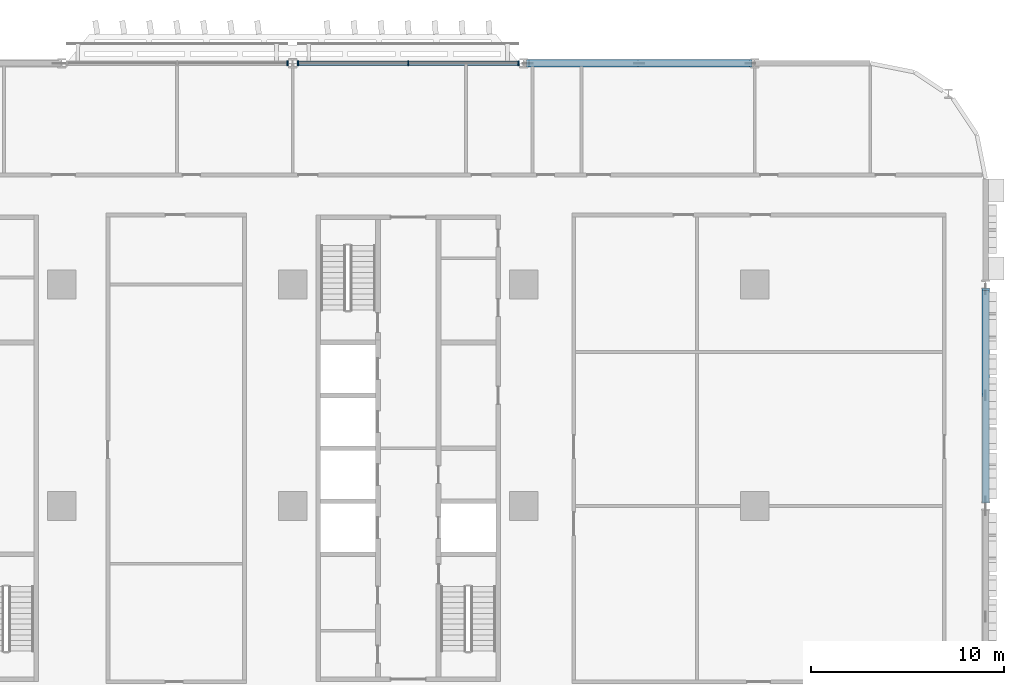
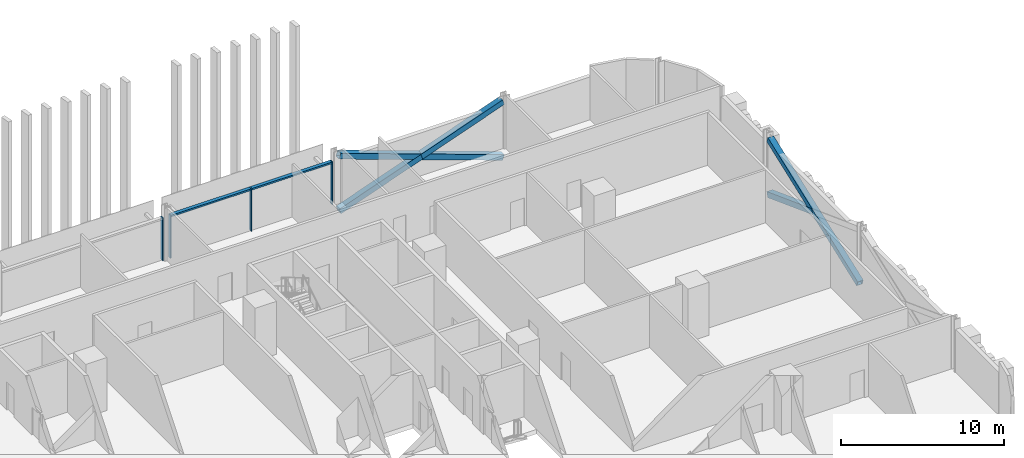
# One storey, part 7 of 29: 11 members, 2 elements without a shape of their own.
"""IFC4 building model written with IfcOpenShell, lengths in metres."""

from ifc_helpers import new_model, si_unit, direction, frame, origin, origin_2d, place, context, subcontext, project, spatial, rectangle, hollow_rectangle, extrude, material, material_profile, profile_set, type_object, element, aggregate, save


model = new_model("IFC4")

# Units and contexts
model_context = context("Model", 3, precision=1e-05, world=origin(), true_north=direction((0.0, 1.0)))
body_context = subcontext(model_context, "Body", "Model", "MODEL_VIEW")
ifc_project = project(units=[si_unit("LENGTHUNIT", "METRE"), si_unit("AREAUNIT", "SQUARE_METRE"), si_unit("VOLUMEUNIT", "CUBIC_METRE"), si_unit("PLANEANGLEUNIT", "RADIAN"), si_unit("MASSUNIT", "GRAM", prefix="KILO")], contexts=[model_context])

# Site, building, storey
site_placement = place(None, origin())
site = spatial("IfcSite", under=ifc_project, at=site_placement, CompositionType="ELEMENT")
building_placement = place(site_placement, origin())
building = spatial("IfcBuilding", under=site, at=building_placement, Name="Mahtab Terrace Research Tower", CompositionType="ELEMENT")
storey_placement = place(building_placement, frame((0.0, 0.0, 46.0)))
storey = spatial("IfcBuildingStorey", under=building, at=storey_placement, Name="L10", CompositionType="ELEMENT", Elevation=46.0)

# Members
ifc_material_1 = material(Name="Steel ASTM A500 Gr C", Category="steel")
ifc_material_profile_1 = material_profile(ifc_material_1, hollow_rectangle(XDim=0.406494140625, YDim=0.406494140625, WallThickness=0.01904296875, at=origin_2d()), Name="HSS16X16X3/4")
ifc_profile_set_1 = profile_set([ifc_material_profile_1], Name="Steel ASTM A500 Gr C")
member_type_1 = type_object("IfcMemberType", Name="HSS 16x16x3/4 brace XB161634", PredefinedType="BRACE", material=ifc_profile_set_1)
member_1_placement = place(storey_placement, frame((41.787841796875, 23.0, -0.642333984375), z_axis=(-0.941386519928, 0.0, 0.337329838731), x_axis=(0.0, -1.0, 0.0)))
element("IfcMember", 1, at=member_1_placement, inside=storey, type_object=member_type_1, Name="Exoskeleton brace L10 02 a", PredefinedType="BRACE", context=body_context, shape_type="SweptSolid", body=[
    extrude(hollow_rectangle(XDim=0.406494140625, YDim=0.406494140625, WallThickness=0.01904296875, at=origin_2d()), origin(), (0.0, 0.0, 1.0), 12.29638671875),
])
for number, where, z_axis, x_axis, name in (
    (2, (30.212158203125, 23.0, -0.642333984375), (0.941386519928, 0.0, 0.337329838731), (0.0, 1.0, 0.0), "Exoskeleton brace L10 02 b1"),
    (3, (36.0, 23.0, 1.431640625), (0.941386519928, 0.0, 0.337329838731), (0.0, 1.0, 0.0), "Exoskeleton brace L10 02 b2"),
):
    element("IfcMember", number, at=place(storey_placement, frame(where, z_axis=z_axis, x_axis=x_axis)), inside=storey, type_object=member_type_1, Name=name, PredefinedType="BRACE", context=body_context, shape_type="SweptSolid", body=[
        extrude(hollow_rectangle(XDim=0.406494140625, YDim=0.406494140625, WallThickness=0.01904296875, at=origin_2d()), origin(), (0.0, 0.0, 1.0), 6.148193359375),
    ])
member_2_placement = place(storey_placement, frame((54.0, 0.237548828125, -0.629638671875), z_axis=(0.0, 0.936664598222, 0.35022768371), x_axis=(-1.0, 0.0, 0.0)))
element("IfcMember", 4, at=member_2_placement, inside=storey, type_object=member_type_1, Name="Exoskeleton brace L10 23 a", PredefinedType="BRACE", context=body_context, shape_type="SweptSolid", body=[
    extrude(hollow_rectangle(XDim=0.406494140625, YDim=0.406494140625, WallThickness=0.01904296875, at=origin_2d()), origin(), (0.0, 0.0, 1.0), 11.770263671875),
])
member_3_placement = place(storey_placement, frame((54.0, 11.262451171875, -0.629638671875), z_axis=(0.0, -0.936657793787, 0.350245881259), x_axis=(1.0, 0.0, 0.0)))
element("IfcMember", 5, at=member_3_placement, inside=storey, type_object=member_type_1, Name="Exoskeleton brace L10 23 b1", PredefinedType="BRACE", context=body_context, shape_type="SweptSolid", body=[
    extrude(hollow_rectangle(XDim=0.406494140625, YDim=0.406494140625, WallThickness=0.01904296875, at=origin_2d()), origin(), (0.0, 0.0, 1.0), 5.88525390625),
])

# Curtain wall, members
ifc_material_2 = material(Name="Sky lounge full-height curtain wall")
curtain_wall_type = type_object("IfcCurtainWallType", Name="Sky lounge full-height curtain wall", PredefinedType="NOTDEFINED", material=ifc_material_2)
curtain_wall_1_placement = place(storey_placement, origin())
curtain_wall_1 = element("IfcCurtainWall", 6, at=curtain_wall_1_placement, inside=storey, type_object=curtain_wall_type, Name="EN.L10.3.5", PredefinedType="NOTDEFINED")
ifc_material_3 = material(Name="Natural anodised aluminium", Category="aluminium")
ifc_material_profile_2 = material_profile(ifc_material_3, rectangle(XDim=0.25, YDim=0.070068359375, at=origin_2d()), Name="MULLION 70x250")
ifc_profile_set_2 = profile_set([ifc_material_profile_2], Name="Natural anodised aluminium")
member_type_2 = type_object("IfcMemberType", Name="Sky lounge full-height curtain wall mullion", PredefinedType="MULLION", material=ifc_profile_set_2)
member_4_placement = place(storey_placement, frame((29.72705078125, 23.0, 0.0), z_axis=(0.0, 0.0, 1.0), x_axis=(0.0, -1.0, 0.0)))
member_4 = element("IfcMember", 7, at=member_4_placement, type_object=member_type_2, Name="CWS-2 mullion 1", PredefinedType="MULLION", context=body_context, shape_type="SweptSolid", body=[
    extrude(rectangle(XDim=0.25, YDim=0.070068359375, at=origin_2d()), origin(), (0.0, 0.0, 1.0), 3.203125),
])
member_5_placement = place(storey_placement, frame((24.0, 23.0, 0.0), z_axis=(0.0, 0.0, 1.0), x_axis=(0.0, -1.0, 0.0)))
member_5 = element("IfcMember", 8, at=member_5_placement, type_object=member_type_2, Name="CWS-2 mullion 2", PredefinedType="MULLION", context=body_context, shape_type="SweptSolid", body=[
    extrude(rectangle(XDim=0.25, YDim=0.070068359375, at=origin_2d()), origin(), (0.0, 0.0, 1.0), 3.203125),
])
member_6_placement = place(storey_placement, frame((18.27294921875, 23.0, 0.0), z_axis=(0.0, 0.0, 1.0), x_axis=(0.0, -1.0, 0.0)))
member_6 = element("IfcMember", 9, at=member_6_placement, type_object=member_type_2, Name="CWS-2 mullion 3", PredefinedType="MULLION", context=body_context, shape_type="SweptSolid", body=[
    extrude(rectangle(XDim=0.25, YDim=0.070068359375, at=origin_2d()), origin(), (0.0, 0.0, 1.0), 3.203125),
])

# Curtain wall, member
curtain_wall_2_placement = place(storey_placement, origin())
curtain_wall_2 = element("IfcCurtainWall", 10, at=curtain_wall_2_placement, inside=storey, type_object=curtain_wall_type, Name="EN.L10.3.6", PredefinedType="NOTDEFINED")
member_7_placement = place(storey_placement, frame((17.72705078125, 23.0, 0.0), z_axis=(0.0, 0.0, 1.0), x_axis=(0.0, -1.0, 0.0)))
member_7 = element("IfcMember", 11, at=member_7_placement, type_object=member_type_2, Name="CWS-2 mullion 1", PredefinedType="MULLION", context=body_context, shape_type="SweptSolid", body=[
    extrude(rectangle(XDim=0.25, YDim=0.070068359375, at=origin_2d()), origin(), (0.0, 0.0, 1.0), 3.203125),
])
aggregate(curtain_wall_2, [member_7])

# Member
ifc_material_profile_3 = material_profile(ifc_material_3, rectangle(XDim=0.25, YDim=0.1201171875, at=origin_2d()), Name="TRANSOM 120x250")
ifc_profile_set_3 = profile_set([ifc_material_profile_3], Name="Natural anodised aluminium")
member_type_3 = type_object("IfcMemberType", Name="Sky lounge full-height curtain wall transom", PredefinedType="USERDEFINED", material=ifc_profile_set_3)
member_8_placement = place(storey_placement, frame((29.69189453125, 23.0, 3.14306640625), z_axis=(-1.0, 0.0, 0.0), x_axis=(0.0, -1.0, 0.0)))
member_8 = element("IfcMember", 12, at=member_8_placement, type_object=member_type_3, Name="CWS-2 transom 1", ObjectType="TRANSOM", PredefinedType="USERDEFINED", context=body_context, shape_type="SweptSolid", body=[
    extrude(rectangle(XDim=0.25, YDim=0.1201171875, at=origin_2d()), origin(), (0.0, 0.0, 1.0), 5.656982421875),
])

member_9_placement = place(storey_placement, frame((23.965087890625, 23.0, 3.14306640625), z_axis=(-1.0, 0.0, 0.0), x_axis=(0.0, -1.0, 0.0)))
member_9 = element("IfcMember", 13, at=member_9_placement, type_object=member_type_3, Name="CWS-2 transom 2", ObjectType="TRANSOM", PredefinedType="USERDEFINED", context=body_context, shape_type="SweptSolid", body=[
    extrude(rectangle(XDim=0.25, YDim=0.1201171875, at=origin_2d()), origin(), (0.0, 0.0, 1.0), 5.656982421875),
])

aggregate(curtain_wall_1, [member_4, member_5, member_6, member_8, member_9])

save(model, "model.ifc")
